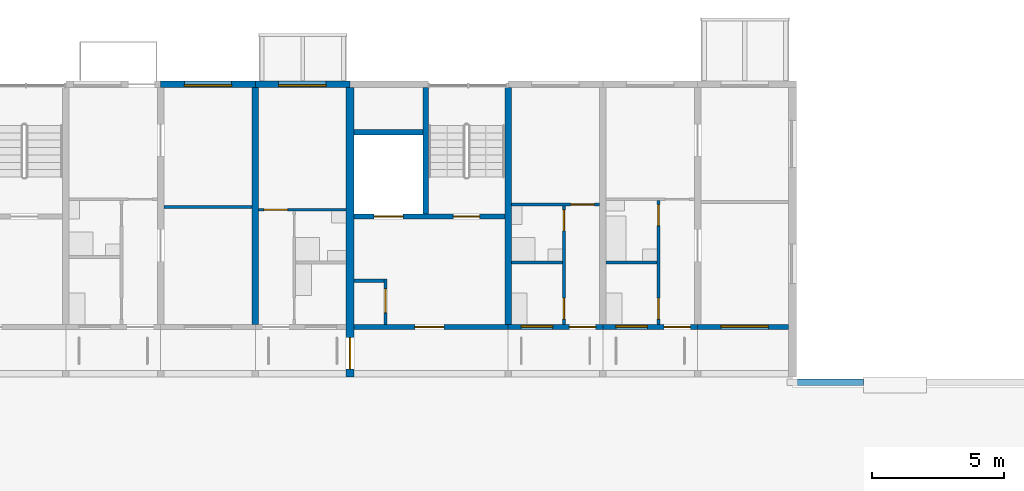
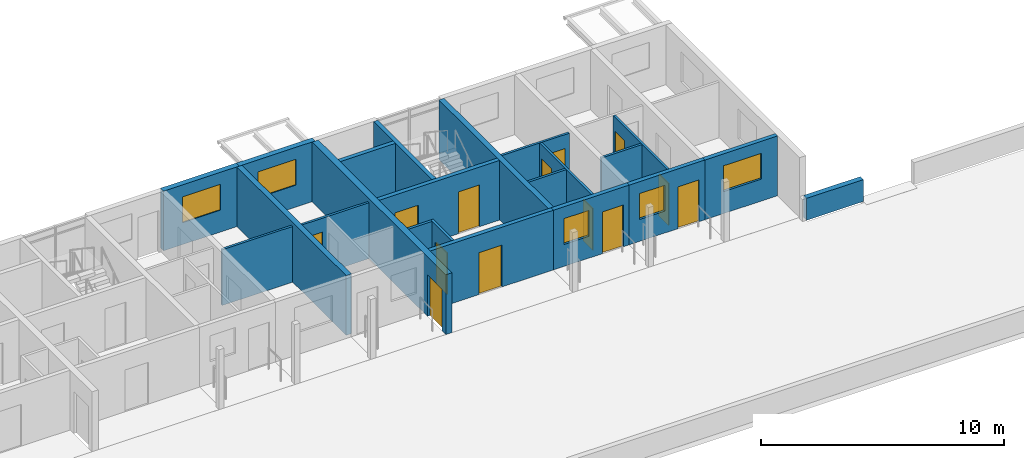
# One storey, part 64 of 115: 22 walls, 13 doors, 5 windows, 18 openings.
"""IFC4 building model written with IfcOpenShell, lengths in metres."""

from ifc_helpers import new_model, si_unit, direction, frame, frame_2d, origin, place, context, subcontext, project, spatial, rectangle, extrude, material, layer, layer_set, type_object, element, fill, save


model = new_model("IFC4")

# Units and contexts
model_context = context("Model", 3, precision=1e-05, world=origin(), true_north=direction((0.0, 1.0)))
body_context = subcontext(model_context, "Body", "Model", "MODEL_VIEW")
ifc_project = project(units=[si_unit("LENGTHUNIT", "METRE"), si_unit("AREAUNIT", "SQUARE_METRE"), si_unit("VOLUMEUNIT", "CUBIC_METRE"), si_unit("PLANEANGLEUNIT", "RADIAN"), si_unit("MASSUNIT", "GRAM", prefix="KILO")], contexts=[model_context])

# Site, building, storey
site_placement = place(None, origin())
site = spatial("IfcSite", under=ifc_project, at=site_placement, CompositionType="ELEMENT")
building_placement = place(site_placement, origin())
building = spatial("IfcBuilding", under=site, at=building_placement, Name="Ridgestep Commons", CompositionType="ELEMENT")
storey_placement = place(building_placement, frame((0.0, 0.0, 6.0)))
storey = spatial("IfcBuildingStorey", under=building, at=storey_placement, Name="L02", CompositionType="ELEMENT", Elevation=6.0)

# Walls
ifc_material_1 = material(Name="Precast concrete C40/50", Category="concrete")
ifc_layer_1 = layer(ifc_material_1, 0.25)
ifc_layer_set_1 = layer_set([ifc_layer_1], Name="Community terrace parapet 250")
wall_type_1 = type_object("IfcWallType", Name="Community terrace parapet 250", PredefinedType="PARAPET", material=ifc_layer_set_1)
wall_1_placement = place(storey_placement, frame((247.60009765625, 11.550048828125, 0.0), z_axis=(0.0, 0.0, 1.0), x_axis=(1.0, 0.0, 0.0)))
element("IfcWall", 1, at=wall_1_placement, inside=storey, type_object=wall_type_1, Name="Terrace parapet", PredefinedType="PARAPET", context=body_context, shape_type="SweptSolid", body=[
    extrude(rectangle(XDim=2.699951171875, YDim=0.25, at=frame_2d((1.35009765625, 0.0))), origin(), (0.0, 0.0, 1.0), 1.10009765625),
])
ifc_material_2 = material(Name="Concrete C30/37", Category="concrete")
ifc_layer_2 = layer(ifc_material_2, 0.25)
ifc_layer_set_2 = layer_set([ifc_layer_2], Name="Core cross wall 250")
wall_type_2 = type_object("IfcWallType", Name="Core cross wall 250", PredefinedType="SHEAR", material=ifc_layer_set_2)
wall_2_placement = place(storey_placement, frame((236.800048828125, 13.75, 0.0), z_axis=(0.0, 0.0, 1.0), x_axis=(0.0, 1.0, 0.0)))
element("IfcWall", 2, at=wall_2_placement, inside=storey, type_object=wall_type_2, Name="Cross wall D-02-2368", PredefinedType="SHEAR", context=body_context, shape_type="SweptSolid", body=[
    extrude(rectangle(XDim=9.0, YDim=0.25, at=frame_2d((4.5, 0.0))), origin(), (0.0, 0.0, 1.0), 3.0),
])

# Wall, opening, door
ifc_material_3 = material(Name="Concrete C30/37", Category="concrete")
ifc_layer_3 = layer(ifc_material_3, 0.199951171875)
ifc_layer_set_3 = layer_set([ifc_layer_3], Name="Core south wall 200")
wall_type_3 = type_object("IfcWallType", Name="Core south wall 200", PredefinedType="SHEAR", material=ifc_layer_set_3)
wall_3_placement = place(storey_placement, frame((230.949951171875, 13.64990234375, 0.0), z_axis=(0.0, 0.0, 1.0), x_axis=(1.0, 0.0, 0.0)))
wall_3 = element("IfcWall", 3, at=wall_3_placement, inside=storey, type_object=wall_type_3, Name="Core south wall D6C L02", PredefinedType="SHEAR", context=body_context, shape_type="SweptSolid", body=[
    extrude(rectangle(XDim=5.85009765625, YDim=0.199951171875, at=frame_2d((2.925048828125, 0.0))), origin(), (0.0, 0.0, 1.0), 3.0),
])
opening_1_placement = place(wall_3_placement, frame((2.3125, 0.0, 0.0)))
opening_1 = element("IfcOpeningElement", 4, at=opening_1_placement, cuts=wall_3, Name="Opening D6C/02/1", PredefinedType="OPENING", context=body_context, shape_type="SweptSolid", body=[
    extrude(rectangle(XDim=1.10009765625, YDim=2.10009765625, at=frame_2d((0.550048828125, 1.050048828125))), frame((0.0, 0.10986328125, 0.0), z_axis=(0.0, -1.0, 0.0), x_axis=(1.0, 0.0, 0.0)), (0.0, 0.0, 1.0), 0.219970703125),
])
ifc_material_4 = material(Name="Steel fire door", Category="steel")
door_type_1 = type_object("IfcDoorType", Name="Lobby door 1100 x 2100 FD60", OperationType="NOTDEFINED", PredefinedType="DOOR", material=ifc_material_4)
door_1_placement = place(opening_1_placement, origin())
door_1 = element("IfcDoor", 5, at=door_1_placement, inside=storey, type_object=door_type_1, Name="Lobby door D6C/02/1", OperationType="SINGLE_SWING_LEFT", OverallHeight=2.10009765625, OverallWidth=1.10009765625, PredefinedType="DOOR", context=body_context, shape_type="SweptSolid", body=[
    extrude(rectangle(XDim=1.10009765625, YDim=2.10009765625, at=frame_2d((0.550048828125, 1.050048828125))), frame((0.0, 0.02490234375, 0.0), z_axis=(0.0, -1.0, 0.0), x_axis=(1.0, 0.0, 0.0)), (0.0, 0.0, 1.0), 0.050048828125),
])
fill(opening_1, door_1)

ifc_material_5 = material(Name="Concrete C30/37", Category="concrete")
ifc_layer_4 = layer(ifc_material_5, 0.1201171875)
ifc_layer_set_4 = layer_set([ifc_layer_4], Name="Core wall 120")
wall_type_4 = type_object("IfcWallType", Name="Core wall 120", PredefinedType="SHEAR", material=ifc_layer_set_4)
wall_4_placement = place(storey_placement, frame((232.139892578125, 13.75, 0.0), z_axis=(0.0, 0.0, 1.0), x_axis=(0.0, 1.0, 0.0)))
wall_4 = element("IfcWall", 6, at=wall_4_placement, inside=storey, type_object=wall_type_4, Name="Core riser w wall D6C L02", PredefinedType="SHEAR", context=body_context, shape_type="SweptSolid", body=[
    extrude(rectangle(XDim=1.719970703125, YDim=0.1201171875, at=frame_2d((0.85986328125, 0.0))), origin(), (0.0, 0.0, 1.0), 3.0),
])
opening_2_placement = place(wall_4_placement, frame((0.449951171875, 0.0, 0.0)))
opening_2 = element("IfcOpeningElement", 7, at=opening_2_placement, cuts=wall_4, Name="Opening D6C/02/4", PredefinedType="OPENING", context=body_context, shape_type="SweptSolid", body=[
    extrude(rectangle(XDim=0.89990234375, YDim=2.10009765625, at=frame_2d((0.449951171875, 1.050048828125))), frame((0.0, 0.070068359375, 0.0), z_axis=(0.0, -1.0, 0.0), x_axis=(1.0, 0.0, 0.0)), (0.0, 0.0, 1.0), 0.14013671875),
])
ifc_material_6 = material(Name="Steel fire door", Category="steel")
door_type_2 = type_object("IfcDoorType", Name="Riser door 900 x 2100 FD60", OperationType="NOTDEFINED", PredefinedType="DOOR", material=ifc_material_6)
door_2_placement = place(opening_2_placement, origin())
door_2 = element("IfcDoor", 8, at=door_2_placement, inside=storey, type_object=door_type_2, Name="Riser door D6C/02/4", OperationType="SINGLE_SWING_RIGHT", OverallHeight=2.10009765625, OverallWidth=0.89990234375, PredefinedType="DOOR", context=body_context, shape_type="SweptSolid", body=[
    extrude(rectangle(XDim=0.89990234375, YDim=2.10009765625, at=frame_2d((0.449951171875, 1.050048828125))), frame((0.0, 0.02490234375, 0.0), z_axis=(0.0, -1.0, 0.0), x_axis=(1.0, 0.0, 0.0)), (0.0, 0.0, 1.0), 0.050048828125),
])
fill(opening_2, door_2)

# Wall
wall_5_placement = place(storey_placement, frame((230.949951171875, 15.409912109375, 0.0), z_axis=(0.0, 0.0, 1.0), x_axis=(1.0, 0.0, 0.0)))
element("IfcWall", 9, at=wall_5_placement, inside=storey, type_object=wall_type_4, Name="Core riser n wall D6C L02", PredefinedType="SHEAR", context=body_context, shape_type="SweptSolid", body=[
    extrude(rectangle(XDim=1.130126953125, YDim=0.1201171875, at=frame_2d((0.56494140625, 0.0))), origin(), (0.0, 0.0, 1.0), 3.0),
])

# Wall, openings, doors
ifc_material_7 = material(Name="Concrete C30/37", Category="concrete")
ifc_layer_5 = layer(ifc_material_7, 0.199951171875)
ifc_layer_set_5 = layer_set([ifc_layer_5], Name="Core wall 200")
wall_type_5 = type_object("IfcWallType", Name="Core wall 200", PredefinedType="SHEAR", material=ifc_layer_set_5)
wall_6_placement = place(storey_placement, frame((230.949951171875, 17.85009765625, 0.0), z_axis=(0.0, 0.0, 1.0), x_axis=(1.0, 0.0, 0.0)))
wall_6 = element("IfcWall", 10, at=wall_6_placement, inside=storey, type_object=wall_type_5, Name="Core lobby wall D6C L02", PredefinedType="SHEAR", context=body_context, shape_type="SweptSolid", body=[
    extrude(rectangle(XDim=5.72509765625, YDim=0.199951171875, at=frame_2d((2.862548828125, 0.0))), origin(), (0.0, 0.0, 1.0), 3.0),
])
opening_3_placement = place(wall_6_placement, frame((3.77490234375, 0.0, 0.0)))
opening_3 = element("IfcOpeningElement", 11, at=opening_3_placement, cuts=wall_6, Name="Opening D6C/02/2", PredefinedType="OPENING", context=body_context, shape_type="SweptSolid", body=[
    extrude(rectangle(XDim=1.0, YDim=2.10009765625, at=frame_2d((0.5, 1.050048828125))), frame((0.0, 0.10986328125, 0.0), z_axis=(0.0, -1.0, 0.0), x_axis=(1.0, 0.0, 0.0)), (0.0, 0.0, 1.0), 0.219970703125),
])
opening_4_placement = place(wall_6_placement, frame((0.762451171875, 0.0, 0.0)))
opening_4 = element("IfcOpeningElement", 12, at=opening_4_placement, cuts=wall_6, Name="Opening D6C/02/3", PredefinedType="OPENING", context=body_context, shape_type="SweptSolid", body=[
    extrude(rectangle(XDim=1.10009765625, YDim=2.10009765625, at=frame_2d((0.550048828125, 1.050048828125))), frame((0.0, 0.10986328125, 0.0), z_axis=(0.0, -1.0, 0.0), x_axis=(1.0, 0.0, 0.0)), (0.0, 0.0, 1.0), 0.219970703125),
])
ifc_material_8 = material(Name="Stainless steel", Category="steel")
door_type_3 = type_object("IfcDoorType", Name="Lift landing door 1100 x 2100 FD60", OperationType="DOUBLE_DOOR_SLIDING", PredefinedType="DOOR", material=ifc_material_8)
door_3_placement = place(opening_4_placement, origin())
door_3 = element("IfcDoor", 13, at=door_3_placement, inside=storey, type_object=door_type_3, Name="Landing door LD D6C L02", OperationType="DOUBLE_DOOR_SLIDING", OverallHeight=2.10009765625, OverallWidth=1.10009765625, PredefinedType="DOOR", context=body_context, shape_type="SweptSolid", body=[
    extrude(rectangle(XDim=1.10009765625, YDim=2.10009765625, at=frame_2d((0.550048828125, 1.050048828125))), frame((0.0, 0.02490234375, 0.0), z_axis=(0.0, -1.0, 0.0), x_axis=(1.0, 0.0, 0.0)), (0.0, 0.0, 1.0), 0.050048828125),
])
fill(opening_4, door_3)
ifc_material_9 = material(Name="Steel fire door", Category="steel")
door_type_4 = type_object("IfcDoorType", Name="Stair door 1000 x 2100 FD60", OperationType="NOTDEFINED", PredefinedType="DOOR", material=ifc_material_9)
door_4_placement = place(opening_3_placement, origin())
door_4 = element("IfcDoor", 14, at=door_4_placement, inside=storey, type_object=door_type_4, Name="Stair door D6C/02/2", OperationType="SINGLE_SWING_RIGHT", OverallHeight=2.10009765625, OverallWidth=1.0, PredefinedType="DOOR", context=body_context, shape_type="SweptSolid", body=[
    extrude(rectangle(XDim=1.0, YDim=2.10009765625, at=frame_2d((0.5, 1.050048828125))), frame((0.0, 0.02490234375, 0.0), z_axis=(0.0, -1.0, 0.0), x_axis=(1.0, 0.0, 0.0)), (0.0, 0.0, 1.0), 0.050048828125),
])
fill(opening_3, door_4)

# Walls
wall_7_placement = place(storey_placement, frame((233.675048828125, 17.949951171875, 0.0), z_axis=(0.0, 0.0, 1.0), x_axis=(0.0, 1.0, 0.0)))
element("IfcWall", 15, at=wall_7_placement, inside=storey, type_object=wall_type_5, Name="Core stair wall D6C L02", PredefinedType="SHEAR", context=body_context, shape_type="SweptSolid", body=[
    extrude(rectangle(XDim=4.800048828125, YDim=0.199951171875, at=frame_2d((2.39990234375, 0.0))), origin(), (0.0, 0.0, 1.0), 3.0),
])
wall_8_placement = place(storey_placement, frame((230.949951171875, 21.050048828125, 0.0), z_axis=(0.0, 0.0, 1.0), x_axis=(1.0, 0.0, 0.0)))
element("IfcWall", 16, at=wall_8_placement, inside=storey, type_object=wall_type_5, Name="Core duct wall D6C L02", PredefinedType="SHEAR", context=body_context, shape_type="SweptSolid", body=[
    extrude(rectangle(XDim=2.625, YDim=0.199951171875, at=frame_2d((1.3125, 0.0))), origin(), (0.0, 0.0, 1.0), 3.0),
])
ifc_material_10 = material(Name="Precast concrete C40/50", Category="concrete")
ifc_layer_6 = layer(ifc_material_10, 0.25)
ifc_layer_set_6 = layer_set([ifc_layer_6], Name="Cross wall 250")
wall_type_6 = type_object("IfcWallType", Name="Cross wall 250", PredefinedType="SHEAR", material=ifc_layer_set_6)
wall_9_placement = place(storey_placement, frame((227.199951171875, 13.75, 0.0), z_axis=(0.0, 0.0, 1.0), x_axis=(0.0, 1.0, 0.0)))
element("IfcWall", 17, at=wall_9_placement, inside=storey, type_object=wall_type_6, Name="Cross wall D-02-2272", PredefinedType="SHEAR", context=body_context, shape_type="SweptSolid", body=[
    extrude(rectangle(XDim=9.0, YDim=0.25, at=frame_2d((4.5, 0.0))), origin(), (0.0, 0.0, 1.0), 3.0),
])

# Wall, opening, door
ifc_material_11 = material(Name="Precast concrete C40/50", Category="concrete")
ifc_layer_7 = layer(ifc_material_11, 0.300048828125)
ifc_layer_set_7 = layer_set([ifc_layer_7], Name="Division wall 300")
wall_type_7 = type_object("IfcWallType", Name="Division wall 300", PredefinedType="SHEAR", material=ifc_layer_set_7)
wall_10_placement = place(storey_placement, frame((230.800048828125, 11.75, 0.0), z_axis=(0.0, 0.0, 1.0), x_axis=(0.0, 1.0, 0.0)))
wall_10 = element("IfcWall", 18, at=wall_10_placement, inside=storey, type_object=wall_type_7, Name="Cross wall D-02-2308", PredefinedType="SHEAR", context=body_context, shape_type="SweptSolid", body=[
    extrude(rectangle(XDim=11.0, YDim=0.300048828125, at=frame_2d((5.5, 0.0))), origin(), (0.0, 0.0, 1.0), 3.0),
])
opening_5_placement = place(wall_10_placement, frame((0.300048828125, 0.0, 0.0)))
opening_5 = element("IfcOpeningElement", 19, at=opening_5_placement, cuts=wall_10, Name="Opening D/02/G2308", PredefinedType="OPENING", context=body_context, shape_type="SweptSolid", body=[
    extrude(rectangle(XDim=1.199951171875, YDim=2.10009765625, at=frame_2d((0.60009765625, 1.050048828125))), frame((0.0, 0.159912109375, 0.0), z_axis=(0.0, -1.0, 0.0), x_axis=(1.0, 0.0, 0.0)), (0.0, 0.0, 1.0), 0.320068359375),
])
ifc_material_12 = material(Name="Steel fire door", Category="steel")
door_type_5 = type_object("IfcDoorType", Name="Division fire door 1200 x 2100 EI 240", OperationType="DOUBLE_DOOR_SINGLE_SWING", PredefinedType="DOOR", material=ifc_material_12)
door_5_placement = place(opening_5_placement, origin())
door_5 = element("IfcDoor", 20, at=door_5_placement, inside=storey, type_object=door_type_5, Name="Division fire door D/02/G2308", OperationType="DOUBLE_DOOR_SINGLE_SWING", OverallHeight=2.10009765625, OverallWidth=1.199951171875, PredefinedType="DOOR", context=body_context, shape_type="SweptSolid", body=[
    extrude(rectangle(XDim=1.199951171875, YDim=2.10009765625, at=frame_2d((0.60009765625, 1.050048828125))), frame((0.0, 0.02490234375, 0.0), z_axis=(0.0, -1.0, 0.0), x_axis=(1.0, 0.0, 0.0)), (0.0, 0.0, 1.0), 0.050048828125),
])
fill(opening_5, door_5)

# Wall, opening, window
ifc_material_13 = material(Name="Precast concrete C40/50", Category="concrete")
ifc_layer_8 = layer(ifc_material_13, 0.25)
ifc_layer_set_8 = layer_set([ifc_layer_8], Name="North facade panel 250")
wall_type_8 = type_object("IfcWallType", Name="North facade panel 250", PredefinedType="SOLIDWALL", material=ifc_layer_set_8)
wall_11_placement = place(storey_placement, frame((223.60009765625, 22.875, 0.0), z_axis=(0.0, 0.0, 1.0), x_axis=(1.0, 0.0, 0.0)))
wall_11 = element("IfcWall", 21, at=wall_11_placement, inside=storey, type_object=wall_type_8, Name="North panel D5T2 L02", PredefinedType="SOLIDWALL", context=body_context, shape_type="SweptSolid", body=[
    extrude(rectangle(XDim=3.599853515625, YDim=0.25, at=frame_2d((1.7998046875, 0.0))), origin(), (0.0, 0.0, 1.0), 3.0),
])
opening_6_placement = place(wall_11_placement, frame((0.89990234375, 0.0, 1.10009765625)))
opening_6 = element("IfcOpeningElement", 22, at=opening_6_placement, cuts=wall_11, Name="Opening W18", PredefinedType="OPENING", context=body_context, shape_type="SweptSolid", body=[
    extrude(rectangle(XDim=1.800048828125, YDim=1.300048828125, at=frame_2d((0.89990234375, 0.64990234375))), frame((0.0, 0.135009765625, 0.0), z_axis=(0.0, -1.0, 0.0), x_axis=(1.0, 0.0, 0.0)), (0.0, 0.0, 1.0), 0.27001953125),
])
ifc_material_14 = material(Name="Aluminium 6063-T6 and glass", Category="aluminium")
window_type_1 = type_object("IfcWindowType", Name="Flat window 1800 x 1300", PartitioningType="DOUBLE_PANEL_VERTICAL", PredefinedType="WINDOW", material=ifc_material_14)
window_1_placement = place(opening_6_placement, origin())
window_1 = element("IfcWindow", 23, at=window_1_placement, inside=storey, type_object=window_type_1, Name="Window D5-02b 2", OverallHeight=1.300048828125, OverallWidth=1.800048828125, PartitioningType="SINGLE_PANEL", PredefinedType="WINDOW", context=body_context, shape_type="SweptSolid", body=[
    extrude(rectangle(XDim=1.800048828125, YDim=1.300048828125, at=frame_2d((0.89990234375, 0.64990234375))), frame((0.0, -0.02490234375, 0.0), z_axis=(0.0, -1.0, 0.0), x_axis=(1.0, 0.0, 0.0)), (0.0, 0.0, 1.0), 0.06005859375),
])
fill(opening_6, window_1)

wall_12_placement = place(storey_placement, frame((227.199951171875, 22.875, 0.0), z_axis=(0.0, 0.0, 1.0), x_axis=(1.0, 0.0, 0.0)))
wall_12 = element("IfcWall", 24, at=wall_12_placement, inside=storey, type_object=wall_type_8, Name="North panel D5T1 L02", PredefinedType="SOLIDWALL", context=body_context, shape_type="SweptSolid", body=[
    extrude(rectangle(XDim=3.60009765625, YDim=0.25, at=frame_2d((1.800048828125, 0.0))), origin(), (0.0, 0.0, 1.0), 3.0),
])
opening_7_placement = place(wall_12_placement, frame((0.887451171875, 0.0, 1.10009765625)))
opening_7 = element("IfcOpeningElement", 25, at=opening_7_placement, cuts=wall_12, Name="Opening W18", PredefinedType="OPENING", context=body_context, shape_type="SweptSolid", body=[
    extrude(rectangle(XDim=1.800048828125, YDim=1.300048828125, at=frame_2d((0.89990234375, 0.64990234375))), frame((0.0, 0.135009765625, 0.0), z_axis=(0.0, -1.0, 0.0), x_axis=(1.0, 0.0, 0.0)), (0.0, 0.0, 1.0), 0.27001953125),
])
window_2_placement = place(opening_7_placement, origin())
window_2 = element("IfcWindow", 26, at=window_2_placement, inside=storey, type_object=window_type_1, Name="Window D5-02a 2", OverallHeight=1.300048828125, OverallWidth=1.800048828125, PartitioningType="SINGLE_PANEL", PredefinedType="WINDOW", context=body_context, shape_type="SweptSolid", body=[
    extrude(rectangle(XDim=1.800048828125, YDim=1.300048828125, at=frame_2d((0.89990234375, 0.64990234375))), frame((0.0, -0.02490234375, 0.0), z_axis=(0.0, -1.0, 0.0), x_axis=(1.0, 0.0, 0.0)), (0.0, 0.0, 1.0), 0.06005859375),
])
fill(opening_7, window_2)

# Wall, opening, door
ifc_material_15 = material(Name="Common brick 110 mm", Category="masonry")
ifc_layer_9 = layer(ifc_material_15, 0.110107421875)
ifc_layer_set_9 = layer_set([ifc_layer_9], Name="Partition 110")
wall_type_9 = type_object("IfcWallType", Name="Partition 110", PredefinedType="PARTITIONING", material=ifc_layer_set_9)
wall_13_placement = place(storey_placement, frame((227.324951171875, 18.10498046875, 0.0), z_axis=(0.0, 0.0, 1.0), x_axis=(1.0, 0.0, 0.0)))
wall_13 = element("IfcWall", 27, at=wall_13_placement, inside=storey, type_object=wall_type_9, Name="Partition D5-02a", PredefinedType="PARTITIONING", context=body_context, shape_type="SweptSolid", body=[
    extrude(rectangle(XDim=3.324951171875, YDim=0.110107421875, at=frame_2d((1.66259765625, 0.0))), origin(), (0.0, 0.0, 1.0), 2.800048828125),
])
opening_8_placement = place(wall_13_placement, frame((0.199951171875, 0.0, 0.0)))
opening_8 = element("IfcOpeningElement", 28, at=opening_8_placement, cuts=wall_13, Name="Opening D5-02a/4", PredefinedType="OPENING", context=body_context, shape_type="SweptSolid", body=[
    extrude(rectangle(XDim=0.89990234375, YDim=2.10009765625, at=frame_2d((0.449951171875, 1.050048828125))), frame((0.0, 0.06494140625, 0.0), z_axis=(0.0, -1.0, 0.0), x_axis=(1.0, 0.0, 0.0)), (0.0, 0.0, 1.0), 0.130126953125),
])
ifc_material_16 = material(Name="Timber door leaf", Category="wood")
door_type_6 = type_object("IfcDoorType", Name="Internal door 900 x 2100", OperationType="NOTDEFINED", PredefinedType="DOOR", material=ifc_material_16)
door_6_placement = place(opening_8_placement, origin())
door_6 = element("IfcDoor", 29, at=door_6_placement, inside=storey, type_object=door_type_6, Name="Internal door D5-02a/4", OperationType="SINGLE_SWING_LEFT", OverallHeight=2.10009765625, OverallWidth=0.89990234375, PredefinedType="DOOR", context=body_context, shape_type="SweptSolid", body=[
    extrude(rectangle(XDim=0.89990234375, YDim=2.10009765625, at=frame_2d((0.449951171875, 1.050048828125))), frame((0.0, 0.02490234375, 0.0), z_axis=(0.0, -1.0, 0.0), x_axis=(1.0, 0.0, 0.0)), (0.0, 0.0, 1.0), 0.050048828125),
])
fill(opening_8, door_6)

# Walls
wall_14_placement = place(storey_placement, frame((223.72509765625, 18.205078125, 0.0), z_axis=(0.0, 0.0, 1.0), x_axis=(1.0, 0.0, 0.0)))
element("IfcWall", 30, at=wall_14_placement, inside=storey, type_object=wall_type_9, Name="Partition D5-02b", PredefinedType="PARTITIONING", context=body_context, shape_type="SweptSolid", body=[
    extrude(rectangle(XDim=3.349853515625, YDim=0.110107421875, at=frame_2d((1.6748046875, 0.0))), origin(), (0.0, 0.0, 1.0), 2.800048828125),
])
wall_15_placement = place(storey_placement, frame((240.52490234375, 16.10498046875, 0.0), z_axis=(0.0, 0.0, 1.0), x_axis=(1.0, 0.0, 0.0)))
element("IfcWall", 31, at=wall_15_placement, inside=storey, type_object=wall_type_9, Name="Partition D6-02a", PredefinedType="PARTITIONING", context=body_context, shape_type="SweptSolid", body=[
    extrude(rectangle(XDim=1.940185546875, YDim=0.110107421875, at=frame_2d((0.97021484375, 0.0))), origin(), (0.0, 0.0, 1.0), 2.800048828125),
])

# Wall, openings, doors
wall_16_placement = place(storey_placement, frame((242.52001953125, 13.75, 0.0), z_axis=(0.0, 0.0, 1.0), x_axis=(0.0, 1.0, 0.0)))
wall_16 = element("IfcWall", 32, at=wall_16_placement, inside=storey, type_object=wall_type_9, Name="Partition D6-02a", PredefinedType="PARTITIONING", context=body_context, shape_type="SweptSolid", body=[
    extrude(rectangle(XDim=4.699951171875, YDim=0.110107421875, at=frame_2d((2.35009765625, 0.0))), origin(), (0.0, 0.0, 1.0), 2.800048828125),
])
opening_9_placement = place(wall_16_placement, frame((0.199951171875, 0.0, 0.0)))
opening_9 = element("IfcOpeningElement", 33, at=opening_9_placement, cuts=wall_16, Name="Opening D6-02a/2", PredefinedType="OPENING", context=body_context, shape_type="SweptSolid", body=[
    extrude(rectangle(XDim=0.800048828125, YDim=2.10009765625, at=frame_2d((0.39990234375, 1.050048828125))), frame((0.0, 0.06494140625, 0.0), z_axis=(0.0, -1.0, 0.0), x_axis=(1.0, 0.0, 0.0)), (0.0, 0.0, 1.0), 0.130126953125),
])
opening_10_placement = place(wall_16_placement, frame((3.75, 0.0, 0.0)))
opening_10 = element("IfcOpeningElement", 34, at=opening_10_placement, cuts=wall_16, Name="Opening D6-02a/3", PredefinedType="OPENING", context=body_context, shape_type="SweptSolid", body=[
    extrude(rectangle(XDim=0.800048828125, YDim=2.10009765625, at=frame_2d((0.39990234375, 1.050048828125))), frame((0.0, 0.06494140625, 0.0), z_axis=(0.0, -1.0, 0.0), x_axis=(1.0, 0.0, 0.0)), (0.0, 0.0, 1.0), 0.130126953125),
])
ifc_material_17 = material(Name="Timber door leaf", Category="wood")
door_type_7 = type_object("IfcDoorType", Name="Internal door 800 x 2100", OperationType="NOTDEFINED", PredefinedType="DOOR", material=ifc_material_17)
door_7_placement = place(opening_9_placement, origin())
door_7 = element("IfcDoor", 35, at=door_7_placement, inside=storey, type_object=door_type_7, Name="Internal door D6-02a/2", OperationType="SINGLE_SWING_LEFT", OverallHeight=2.10009765625, OverallWidth=0.800048828125, PredefinedType="DOOR", context=body_context, shape_type="SweptSolid", body=[
    extrude(rectangle(XDim=0.800048828125, YDim=2.10009765625, at=frame_2d((0.39990234375, 1.050048828125))), frame((0.0, 0.02490234375, 0.0), z_axis=(0.0, -1.0, 0.0), x_axis=(1.0, 0.0, 0.0)), (0.0, 0.0, 1.0), 0.050048828125),
])
fill(opening_9, door_7)
door_8_placement = place(opening_10_placement, origin())
door_8 = element("IfcDoor", 36, at=door_8_placement, inside=storey, type_object=door_type_7, Name="Internal door D6-02a/3", OperationType="SINGLE_SWING_RIGHT", OverallHeight=2.10009765625, OverallWidth=0.800048828125, PredefinedType="DOOR", context=body_context, shape_type="SweptSolid", body=[
    extrude(rectangle(XDim=0.800048828125, YDim=2.10009765625, at=frame_2d((0.39990234375, 1.050048828125))), frame((0.0, 0.02490234375, 0.0), z_axis=(0.0, -1.0, 0.0), x_axis=(1.0, 0.0, 0.0)), (0.0, 0.0, 1.0), 0.050048828125),
])
fill(opening_10, door_8)

# Wall
wall_17_placement = place(storey_placement, frame((236.925048828125, 16.10498046875, 0.0), z_axis=(0.0, 0.0, 1.0), x_axis=(1.0, 0.0, 0.0)))
element("IfcWall", 37, at=wall_17_placement, inside=storey, type_object=wall_type_9, Name="Partition D6-02b", PredefinedType="PARTITIONING", context=body_context, shape_type="SweptSolid", body=[
    extrude(rectangle(XDim=1.93994140625, YDim=0.110107421875, at=frame_2d((0.969970703125, 0.0))), origin(), (0.0, 0.0, 1.0), 2.800048828125),
])

# Wall, openings, doors
wall_18_placement = place(storey_placement, frame((238.919921875, 13.75, 0.0), z_axis=(0.0, 0.0, 1.0), x_axis=(0.0, 1.0, 0.0)))
wall_18 = element("IfcWall", 38, at=wall_18_placement, inside=storey, type_object=wall_type_9, Name="Partition D6-02b", PredefinedType="PARTITIONING", context=body_context, shape_type="SweptSolid", body=[
    extrude(rectangle(XDim=4.5, YDim=0.110107421875, at=frame_2d((2.25, 0.0))), origin(), (0.0, 0.0, 1.0), 2.800048828125),
])
opening_11_placement = place(wall_18_placement, frame((0.199951171875, 0.0, 0.0)))
opening_11 = element("IfcOpeningElement", 39, at=opening_11_placement, cuts=wall_18, Name="Opening D6-02b/2", PredefinedType="OPENING", context=body_context, shape_type="SweptSolid", body=[
    extrude(rectangle(XDim=0.800048828125, YDim=2.10009765625, at=frame_2d((0.39990234375, 1.050048828125))), frame((0.0, 0.06494140625, 0.0), z_axis=(0.0, -1.0, 0.0), x_axis=(1.0, 0.0, 0.0)), (0.0, 0.0, 1.0), 0.130126953125),
])
opening_12_placement = place(wall_18_placement, frame((3.550048828125, 0.0, 0.0)))
opening_12 = element("IfcOpeningElement", 40, at=opening_12_placement, cuts=wall_18, Name="Opening D6-02b/3", PredefinedType="OPENING", context=body_context, shape_type="SweptSolid", body=[
    extrude(rectangle(XDim=0.800048828125, YDim=2.10009765625, at=frame_2d((0.39990234375, 1.050048828125))), frame((0.0, 0.06494140625, 0.0), z_axis=(0.0, -1.0, 0.0), x_axis=(1.0, 0.0, 0.0)), (0.0, 0.0, 1.0), 0.130126953125),
])
door_9_placement = place(opening_11_placement, origin())
door_9 = element("IfcDoor", 41, at=door_9_placement, inside=storey, type_object=door_type_7, Name="Internal door D6-02b/2", OperationType="SINGLE_SWING_LEFT", OverallHeight=2.10009765625, OverallWidth=0.800048828125, PredefinedType="DOOR", context=body_context, shape_type="SweptSolid", body=[
    extrude(rectangle(XDim=0.800048828125, YDim=2.10009765625, at=frame_2d((0.39990234375, 1.050048828125))), frame((0.0, 0.02490234375, 0.0), z_axis=(0.0, -1.0, 0.0), x_axis=(1.0, 0.0, 0.0)), (0.0, 0.0, 1.0), 0.050048828125),
])
fill(opening_11, door_9)
door_10_placement = place(opening_12_placement, origin())
door_10 = element("IfcDoor", 42, at=door_10_placement, inside=storey, type_object=door_type_7, Name="Internal door D6-02b/3", OperationType="SINGLE_SWING_RIGHT", OverallHeight=2.10009765625, OverallWidth=0.800048828125, PredefinedType="DOOR", context=body_context, shape_type="SweptSolid", body=[
    extrude(rectangle(XDim=0.800048828125, YDim=2.10009765625, at=frame_2d((0.39990234375, 1.050048828125))), frame((0.0, 0.02490234375, 0.0), z_axis=(0.0, -1.0, 0.0), x_axis=(1.0, 0.0, 0.0)), (0.0, 0.0, 1.0), 0.050048828125),
])
fill(opening_12, door_10)

# Wall, opening, door
wall_19_placement = place(storey_placement, frame((236.925048828125, 18.304931640625, 0.0), z_axis=(0.0, 0.0, 1.0), x_axis=(1.0, 0.0, 0.0)))
wall_19 = element("IfcWall", 43, at=wall_19_placement, inside=storey, type_object=wall_type_9, Name="Partition D6-02b", PredefinedType="PARTITIONING", context=body_context, shape_type="SweptSolid", body=[
    extrude(rectangle(XDim=3.349853515625, YDim=0.110107421875, at=frame_2d((1.6748046875, 0.0))), origin(), (0.0, 0.0, 1.0), 2.800048828125),
])
opening_13_placement = place(wall_19_placement, frame((2.25, 0.0, 0.0)))
opening_13 = element("IfcOpeningElement", 44, at=opening_13_placement, cuts=wall_19, Name="Opening D6-02b/4", PredefinedType="OPENING", context=body_context, shape_type="SweptSolid", body=[
    extrude(rectangle(XDim=0.89990234375, YDim=2.10009765625, at=frame_2d((0.449951171875, 1.050048828125))), frame((0.0, 0.06494140625, 0.0), z_axis=(0.0, -1.0, 0.0), x_axis=(1.0, 0.0, 0.0)), (0.0, 0.0, 1.0), 0.130126953125),
])
door_11_placement = place(opening_13_placement, origin())
door_11 = element("IfcDoor", 45, at=door_11_placement, inside=storey, type_object=door_type_6, Name="Internal door D6-02b/4", OperationType="SINGLE_SWING_LEFT", OverallHeight=2.10009765625, OverallWidth=0.89990234375, PredefinedType="DOOR", context=body_context, shape_type="SweptSolid", body=[
    extrude(rectangle(XDim=0.89990234375, YDim=2.10009765625, at=frame_2d((0.449951171875, 1.050048828125))), frame((0.0, 0.02490234375, 0.0), z_axis=(0.0, -1.0, 0.0), x_axis=(1.0, 0.0, 0.0)), (0.0, 0.0, 1.0), 0.050048828125),
])
fill(opening_13, door_11)

# Wall, openings, door, window
ifc_material_18 = material(Name="Precast concrete C40/50", Category="concrete")
ifc_layer_10 = layer(ifc_material_18, 0.199951171875)
ifc_layer_set_10 = layer_set([ifc_layer_10], Name="South facade panel 200")
wall_type_10 = type_object("IfcWallType", Name="South facade panel 200", PredefinedType="SOLIDWALL", material=ifc_layer_set_10)
wall_20_placement = place(storey_placement, frame((236.800048828125, 13.64990234375, 0.0), z_axis=(0.0, 0.0, 1.0), x_axis=(1.0, 0.0, 0.0)))
wall_20 = element("IfcWall", 46, at=wall_20_placement, inside=storey, type_object=wall_type_10, Name="South panel D6T3 L02", PredefinedType="SOLIDWALL", context=body_context, shape_type="SweptSolid", body=[
    extrude(rectangle(XDim=3.599853515625, YDim=0.199951171875, at=frame_2d((1.7998046875, 0.0))), origin(), (0.0, 0.0, 1.0), 3.0),
])
opening_14_placement = place(wall_20_placement, frame((0.4951171875, 0.0, 1.10009765625)))
opening_14 = element("IfcOpeningElement", 47, at=opening_14_placement, cuts=wall_20, Name="Opening W08", PredefinedType="OPENING", context=body_context, shape_type="SweptSolid", body=[
    extrude(rectangle(XDim=1.199951171875, YDim=1.300048828125, at=frame_2d((0.60009765625, 0.64990234375))), frame((0.0, 0.10986328125, 0.0), z_axis=(0.0, -1.0, 0.0), x_axis=(1.0, 0.0, 0.0)), (0.0, 0.0, 1.0), 0.219970703125),
])
opening_15_placement = place(wall_20_placement, frame((2.324951171875, 0.0, 0.0)))
opening_15 = element("IfcOpeningElement", 48, at=opening_15_placement, cuts=wall_20, Name="Opening D6-02b/1", PredefinedType="OPENING", context=body_context, shape_type="SweptSolid", body=[
    extrude(rectangle(XDim=1.0, YDim=2.10009765625, at=frame_2d((0.5, 1.050048828125))), frame((0.0, 0.10986328125, 0.0), z_axis=(0.0, -1.0, 0.0), x_axis=(1.0, 0.0, 0.0)), (0.0, 0.0, 1.0), 0.219970703125),
])
ifc_material_19 = material(Name="Timber door leaf", Category="wood")
door_type_8 = type_object("IfcDoorType", Name="Flat entrance door 1000 x 2100 FD30S", OperationType="NOTDEFINED", PredefinedType="DOOR", material=ifc_material_19)
door_12_placement = place(opening_15_placement, origin())
door_12 = element("IfcDoor", 49, at=door_12_placement, inside=storey, type_object=door_type_8, Name="Flat entrance door D6-02b/1", OperationType="SINGLE_SWING_RIGHT", OverallHeight=2.10009765625, OverallWidth=1.0, PredefinedType="DOOR", context=body_context, shape_type="SweptSolid", body=[
    extrude(rectangle(XDim=1.0, YDim=2.10009765625, at=frame_2d((0.5, 1.050048828125))), frame((0.0, 0.02490234375, 0.0), z_axis=(0.0, -1.0, 0.0), x_axis=(1.0, 0.0, 0.0)), (0.0, 0.0, 1.0), 0.050048828125),
])
fill(opening_15, door_12)
ifc_material_20 = material(Name="Aluminium 6063-T6 and glass", Category="aluminium")
window_type_2 = type_object("IfcWindowType", Name="Flat window 1200 x 1300", PartitioningType="SINGLE_PANEL", PredefinedType="WINDOW", material=ifc_material_20)
window_3_placement = place(opening_14_placement, origin())
window_3 = element("IfcWindow", 50, at=window_3_placement, inside=storey, type_object=window_type_2, Name="Window D6-02b 1", OverallHeight=1.300048828125, OverallWidth=1.199951171875, PartitioningType="SINGLE_PANEL", PredefinedType="WINDOW", context=body_context, shape_type="SweptSolid", body=[
    extrude(rectangle(XDim=1.199951171875, YDim=1.300048828125, at=frame_2d((0.60009765625, 0.64990234375))), frame((0.0, 0.06005859375, 0.0), z_axis=(0.0, -1.0, 0.0), x_axis=(1.0, 0.0, 0.0)), (0.0, 0.0, 1.0), 0.06005859375),
])
fill(opening_14, window_3)

wall_21_placement = place(storey_placement, frame((240.39990234375, 13.64990234375, 0.0), z_axis=(0.0, 0.0, 1.0), x_axis=(1.0, 0.0, 0.0)))
wall_21 = element("IfcWall", 51, at=wall_21_placement, inside=storey, type_object=wall_type_10, Name="South panel D6T2 L02", PredefinedType="SOLIDWALL", context=body_context, shape_type="SweptSolid", body=[
    extrude(rectangle(XDim=3.60009765625, YDim=0.199951171875, at=frame_2d((1.800048828125, 0.0))), origin(), (0.0, 0.0, 1.0), 3.0),
])
opening_16_placement = place(wall_21_placement, frame((0.4951171875, 0.0, 1.10009765625)))
opening_16 = element("IfcOpeningElement", 52, at=opening_16_placement, cuts=wall_21, Name="Opening W08", PredefinedType="OPENING", context=body_context, shape_type="SweptSolid", body=[
    extrude(rectangle(XDim=1.199951171875, YDim=1.300048828125, at=frame_2d((0.60009765625, 0.64990234375))), frame((0.0, 0.10986328125, 0.0), z_axis=(0.0, -1.0, 0.0), x_axis=(1.0, 0.0, 0.0)), (0.0, 0.0, 1.0), 0.219970703125),
])
opening_17_placement = place(wall_21_placement, frame((2.324951171875, 0.0, 0.0)))
opening_17 = element("IfcOpeningElement", 53, at=opening_17_placement, cuts=wall_21, Name="Opening D6-02a/1", PredefinedType="OPENING", context=body_context, shape_type="SweptSolid", body=[
    extrude(rectangle(XDim=1.0, YDim=2.10009765625, at=frame_2d((0.5, 1.050048828125))), frame((0.0, 0.10986328125, 0.0), z_axis=(0.0, -1.0, 0.0), x_axis=(1.0, 0.0, 0.0)), (0.0, 0.0, 1.0), 0.219970703125),
])
door_13_placement = place(opening_17_placement, origin())
door_13 = element("IfcDoor", 54, at=door_13_placement, inside=storey, type_object=door_type_8, Name="Flat entrance door D6-02a/1", OperationType="SINGLE_SWING_RIGHT", OverallHeight=2.10009765625, OverallWidth=1.0, PredefinedType="DOOR", context=body_context, shape_type="SweptSolid", body=[
    extrude(rectangle(XDim=1.0, YDim=2.10009765625, at=frame_2d((0.5, 1.050048828125))), frame((0.0, 0.02490234375, 0.0), z_axis=(0.0, -1.0, 0.0), x_axis=(1.0, 0.0, 0.0)), (0.0, 0.0, 1.0), 0.050048828125),
])
fill(opening_17, door_13)
window_4_placement = place(opening_16_placement, origin())
window_4 = element("IfcWindow", 55, at=window_4_placement, inside=storey, type_object=window_type_2, Name="Window D6-02a 3", OverallHeight=1.300048828125, OverallWidth=1.199951171875, PartitioningType="SINGLE_PANEL", PredefinedType="WINDOW", context=body_context, shape_type="SweptSolid", body=[
    extrude(rectangle(XDim=1.199951171875, YDim=1.300048828125, at=frame_2d((0.60009765625, 0.64990234375))), frame((0.0, 0.06005859375, 0.0), z_axis=(0.0, -1.0, 0.0), x_axis=(1.0, 0.0, 0.0)), (0.0, 0.0, 1.0), 0.06005859375),
])
fill(opening_16, window_4)

# Wall, opening, window
wall_22_placement = place(storey_placement, frame((244.0, 13.64990234375, 0.0), z_axis=(0.0, 0.0, 1.0), x_axis=(1.0, 0.0, 0.0)))
wall_22 = element("IfcWall", 56, at=wall_22_placement, inside=storey, type_object=wall_type_10, Name="South panel D6T1 L02", PredefinedType="SOLIDWALL", context=body_context, shape_type="SweptSolid", body=[
    extrude(rectangle(XDim=3.449951171875, YDim=0.199951171875, at=frame_2d((1.72509765625, 0.0))), origin(), (0.0, 0.0, 1.0), 3.0),
])
opening_18_placement = place(wall_22_placement, frame((0.887451171875, 0.0, 1.10009765625)))
opening_18 = element("IfcOpeningElement", 57, at=opening_18_placement, cuts=wall_22, Name="Opening W18", PredefinedType="OPENING", context=body_context, shape_type="SweptSolid", body=[
    extrude(rectangle(XDim=1.800048828125, YDim=1.300048828125, at=frame_2d((0.89990234375, 0.64990234375))), frame((0.0, 0.10986328125, 0.0), z_axis=(0.0, -1.0, 0.0), x_axis=(1.0, 0.0, 0.0)), (0.0, 0.0, 1.0), 0.219970703125),
])
window_5_placement = place(opening_18_placement, origin())
window_5 = element("IfcWindow", 58, at=window_5_placement, inside=storey, type_object=window_type_1, Name="Window D6-02a 1", OverallHeight=1.300048828125, OverallWidth=1.800048828125, PartitioningType="SINGLE_PANEL", PredefinedType="WINDOW", context=body_context, shape_type="SweptSolid", body=[
    extrude(rectangle(XDim=1.800048828125, YDim=1.300048828125, at=frame_2d((0.89990234375, 0.64990234375))), frame((0.0, 0.06005859375, 0.0), z_axis=(0.0, -1.0, 0.0), x_axis=(1.0, 0.0, 0.0)), (0.0, 0.0, 1.0), 0.06005859375),
])
fill(opening_18, window_5)

save(model, "model.ifc")
